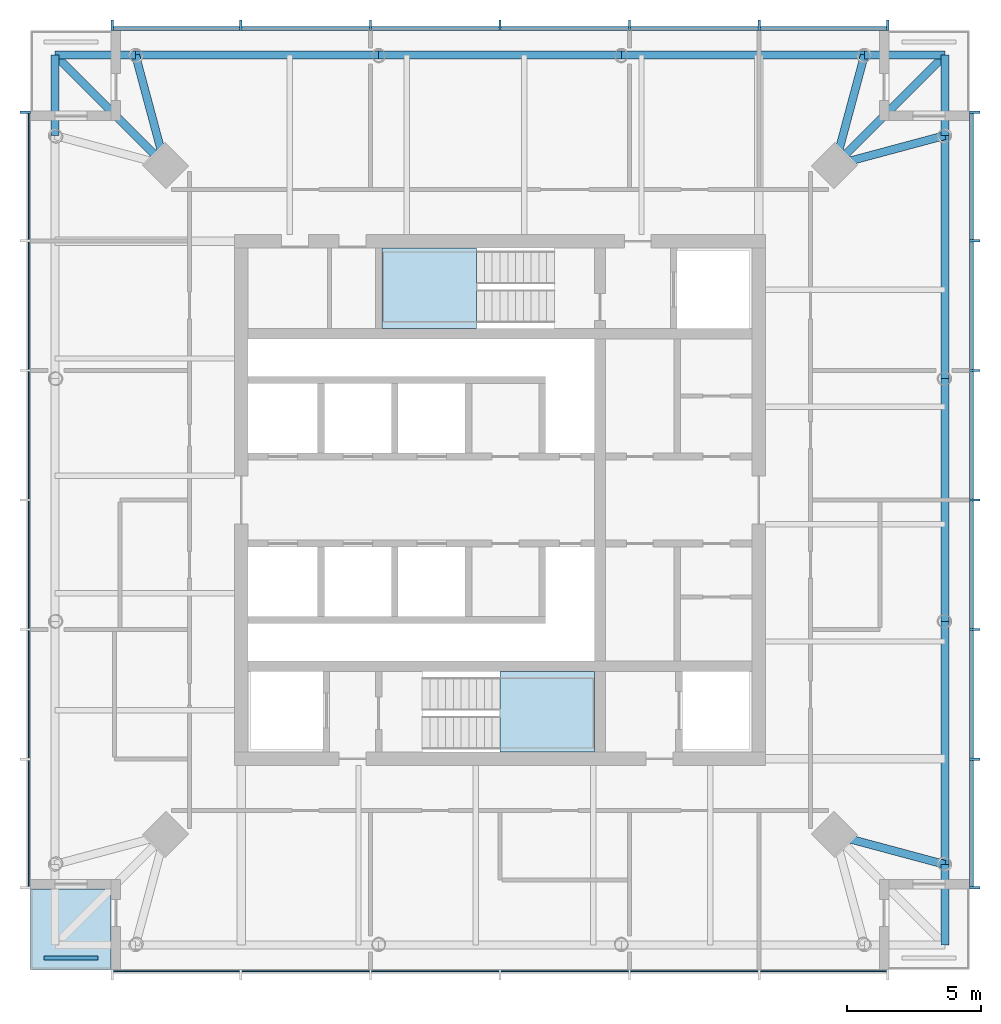
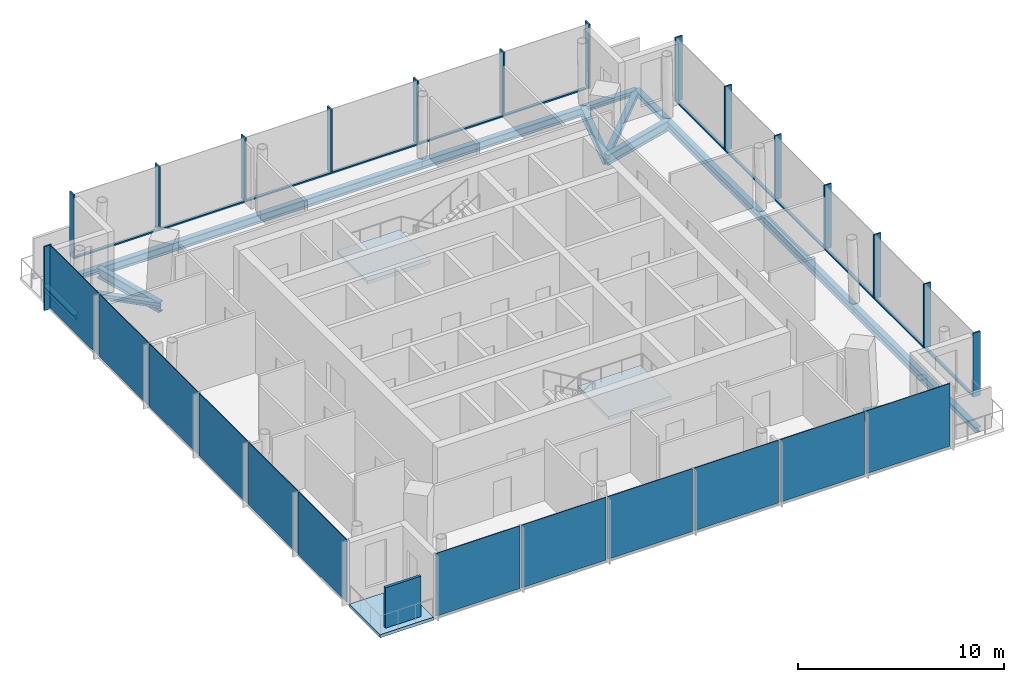
# One storey, part 2 of 7: 27 members, 17 beams, 13 plates, 3 slabs, 6 elements without a shape of their own.
"""IFC4 building model written with IfcOpenShell, lengths in metres."""

from ifc_helpers import new_model, si_unit, direction, frame, origin, origin_2d, place, context, subcontext, project, spatial, polyline, rectangle, i_section, outline, extrude, material, layer, layer_set, material_profile, profile_set, type_object, element, aggregate, save


model = new_model("IFC4")

# Units and contexts
model_context = context("Model", 3, precision=1e-05, world=origin(), true_north=direction((0.0, 1.0)))
body_context = subcontext(model_context, "Body", "Model", "MODEL_VIEW")
ifc_project = project(units=[si_unit("LENGTHUNIT", "METRE"), si_unit("AREAUNIT", "SQUARE_METRE"), si_unit("VOLUMEUNIT", "CUBIC_METRE"), si_unit("PLANEANGLEUNIT", "RADIAN"), si_unit("MASSUNIT", "GRAM", prefix="KILO")], contexts=[model_context])

# Site, building, storey
site_placement = place(None, origin())
site = spatial("IfcSite", under=ifc_project, at=site_placement, CompositionType="ELEMENT")
building_placement = place(site_placement, origin())
building = spatial("IfcBuilding", under=site, at=building_placement, Name="Ostroluk Exchange", CompositionType="ELEMENT")
storey_placement = place(building_placement, frame((0.0, 0.0, 252.800048828125)))
storey = spatial("IfcBuildingStorey", under=building, at=storey_placement, Name="L65", CompositionType="ELEMENT", Elevation=252.800048828125)

# Beams
ifc_material_1 = material(Name="Steel S355", Category="steel")
ifc_material_profile_1 = material_profile(ifc_material_1, i_section(OverallWidth=0.300048828125, OverallDepth=0.300048828125, WebThickness=0.010986328125, FlangeThickness=0.01904296875, FilletRadius=0.027099609375, at=origin_2d()), Name="HEB 300")
ifc_profile_set_1 = profile_set([ifc_material_profile_1], Name="Steel S355")
beam_type_1 = type_object("IfcBeamType", Name="Balcony beam HEB 300", PredefinedType="BEAM", material=ifc_profile_set_1)
for number, where, z_axis, x_axis, name in (
    (1, (61.5927734375, 59.5927734375, -0.330078125), (0.0, 1.0, 0.0), (-1.0, 0.0, 0.0), "T1 east balcony beam a"),
    (2, (58.5927734375, 62.5927734375, -0.330078125), (1.0, 0.0, 0.0), (0.0, 1.0, 0.0), "T1 east balcony beam b"),
):
    element("IfcBeam", number, at=place(storey_placement, frame(where, z_axis=z_axis, x_axis=x_axis)), inside=storey, type_object=beam_type_1, Name=name, PredefinedType="BEAM", context=body_context, shape_type="SweptSolid", body=[
        extrude(i_section(OverallWidth=0.300048828125, OverallDepth=0.300048828125, WebThickness=0.010986328125, FlangeThickness=0.01904296875, FilletRadius=0.027099609375, at=origin_2d()), origin(), (0.0, 0.0, 1.0), 3.0),
    ])
beam_1_placement = place(storey_placement, frame((57.492919921875, 58.492919921875, -0.330078125), z_axis=(0.707106781187, 0.707106781187, 0.0), x_axis=(-0.707106781187, 0.707106781187, 0.0)))
element("IfcBeam", 3, at=beam_1_placement, inside=storey, type_object=beam_type_1, Name="T1 east balcony beam c", PredefinedType="BEAM", context=body_context, shape_type="SweptSolid", body=[
    extrude(i_section(OverallWidth=0.300048828125, OverallDepth=0.300048828125, WebThickness=0.010986328125, FlangeThickness=0.01904296875, FilletRadius=0.027099609375, at=origin_2d()), origin(), (0.0, 0.0, 1.0), 5.798095703125),
])
for number, where, z_axis, x_axis, name in (
    (4, (31.4072265625, 62.5927734375, -0.330078125), (-1.0, 0.0, 0.0), (0.0, -1.0, 0.0), "T1 north balcony beam a"),
    (5, (28.4072265625, 59.5927734375, -0.330078125), (0.0, 1.0, 0.0), (-1.0, 0.0, 0.0), "T1 north balcony beam b"),
):
    element("IfcBeam", number, at=place(storey_placement, frame(where, z_axis=z_axis, x_axis=x_axis)), inside=storey, type_object=beam_type_1, Name=name, PredefinedType="BEAM", context=body_context, shape_type="SweptSolid", body=[
        extrude(i_section(OverallWidth=0.300048828125, OverallDepth=0.300048828125, WebThickness=0.010986328125, FlangeThickness=0.01904296875, FilletRadius=0.027099609375, at=origin_2d()), origin(), (0.0, 0.0, 1.0), 3.0),
    ])
beam_2_placement = place(storey_placement, frame((32.507080078125, 58.492919921875, -0.330078125), z_axis=(-0.707106781187, 0.707106781187, 0.0), x_axis=(-0.707106781187, -0.707106781187, 0.0)))
element("IfcBeam", 6, at=beam_2_placement, inside=storey, type_object=beam_type_1, Name="T1 north balcony beam c", PredefinedType="BEAM", context=body_context, shape_type="SweptSolid", body=[
    extrude(i_section(OverallWidth=0.300048828125, OverallDepth=0.300048828125, WebThickness=0.010986328125, FlangeThickness=0.01904296875, FilletRadius=0.027099609375, at=origin_2d()), origin(), (0.0, 0.0, 1.0), 5.798095703125),
])
beam_3_placement = place(storey_placement, frame((61.5927734375, 32.4072265625, -0.330078125), z_axis=(0.0, -1.0, 0.0), x_axis=(1.0, 0.0, 0.0)))
element("IfcBeam", 7, at=beam_3_placement, inside=storey, type_object=beam_type_1, Name="T1 south balcony beam b", PredefinedType="BEAM", context=body_context, shape_type="SweptSolid", body=[
    extrude(i_section(OverallWidth=0.300048828125, OverallDepth=0.300048828125, WebThickness=0.010986328125, FlangeThickness=0.01904296875, FilletRadius=0.027099609375, at=origin_2d()), origin(), (0.0, 0.0, 1.0), 3.0),
])
ifc_material_2 = material(Name="Steel S355", Category="steel")
ifc_material_profile_2 = material_profile(ifc_material_2, i_section(OverallWidth=0.300048828125, OverallDepth=0.60009765625, WebThickness=0.015380859375, FlangeThickness=0.030029296875, FilletRadius=0.027099609375, at=origin_2d()), Name="HEB 600")
ifc_profile_set_2 = profile_set([ifc_material_profile_2], Name="Steel S355")
beam_type_2 = type_object("IfcBeamType", Name="Corner edge beam HEB 600", PredefinedType="SPANDREL", material=ifc_profile_set_2)
for number, where, z_axis, x_axis, name in (
    (8, (57.492919921875, 58.492919921875, -0.47998046875), (0.965849156574, 0.259105011038, 0.0), (-0.259105011038, 0.965849156574, 0.0), "T1 east corner edge beam a"),
    (9, (57.492919921875, 58.492919921875, -0.47998046875), (0.259105011038, 0.965849156574, 0.0), (-0.965849156574, 0.259105011038, 0.0), "T1 east corner edge beam b"),
    (10, (32.507080078125, 58.492919921875, -0.47998046875), (-0.259105011038, 0.965849156574, 0.0), (-0.965849156574, -0.259105011038, 0.0), "T1 north corner edge beam a"),
    (11, (57.492919921875, 33.507080078125, -0.47998046875), (0.965849156574, -0.259105011038, 0.0), (0.259105011038, 0.965849156574, 0.0), "T1 south corner edge beam b"),
):
    element("IfcBeam", number, at=place(storey_placement, frame(where, z_axis=z_axis, x_axis=x_axis)), inside=storey, type_object=beam_type_2, Name=name, PredefinedType="SPANDREL", context=body_context, shape_type="SweptSolid", body=[
        extrude(i_section(OverallWidth=0.300048828125, OverallDepth=0.60009765625, WebThickness=0.015380859375, FlangeThickness=0.030029296875, FilletRadius=0.027099609375, at=origin_2d()), origin(), (0.0, 0.0, 1.0), 4.244873046875),
    ])
ifc_material_3 = material(Name="Steel S355", Category="steel")
ifc_material_profile_3 = material_profile(ifc_material_3, i_section(OverallWidth=0.300048828125, OverallDepth=0.5, WebThickness=0.014404296875, FlangeThickness=0.028076171875, FilletRadius=0.027099609375, at=origin_2d()), Name="HEB 500")
ifc_profile_set_3 = profile_set([ifc_material_profile_3], Name="Steel S355")
beam_type_3 = type_object("IfcBeamType", Name="Moment-connected edge beam HEB 500", PredefinedType="SPANDREL", material=ifc_profile_set_3)
beam_4_placement = place(storey_placement, frame((61.5927734375, 32.4072265625, -0.429931640625), z_axis=(0.0, 1.0, 0.0), x_axis=(-1.0, 0.0, 0.0)))
element("IfcBeam", 12, at=beam_4_placement, inside=storey, type_object=beam_type_3, Name="T1 east edge beam 1", PredefinedType="SPANDREL", context=body_context, shape_type="SweptSolid", body=[
    extrude(i_section(OverallWidth=0.300048828125, OverallDepth=0.5, WebThickness=0.014404296875, FlangeThickness=0.028076171875, FilletRadius=0.027099609375, at=origin_2d()), origin(), (0.0, 0.0, 1.0), 9.061767578125),
])
beam_5_placement = place(storey_placement, frame((61.5927734375, 41.468994140625, -0.429931640625), z_axis=(0.0, 1.0, 0.0), x_axis=(-1.0, 0.0, 0.0)))
element("IfcBeam", 13, at=beam_5_placement, inside=storey, type_object=beam_type_3, Name="T1 east edge beam 2", PredefinedType="SPANDREL", context=body_context, shape_type="SweptSolid", body=[
    extrude(i_section(OverallWidth=0.300048828125, OverallDepth=0.5, WebThickness=0.014404296875, FlangeThickness=0.028076171875, FilletRadius=0.027099609375, at=origin_2d()), origin(), (0.0, 0.0, 1.0), 9.06201171875),
])
for number, where, z_axis, x_axis, name in (
    (14, (61.5927734375, 50.531005859375, -0.429931640625), (0.0, 1.0, 0.0), (-1.0, 0.0, 0.0), "T1 east edge beam 3"),
    (15, (58.5927734375, 62.5927734375, -0.429931640625), (-1.0, 0.0, 0.0), (0.0, -1.0, 0.0), "T1 north edge beam 1"),
):
    element("IfcBeam", number, at=place(storey_placement, frame(where, z_axis=z_axis, x_axis=x_axis)), inside=storey, type_object=beam_type_3, Name=name, PredefinedType="SPANDREL", context=body_context, shape_type="SweptSolid", body=[
        extrude(i_section(OverallWidth=0.300048828125, OverallDepth=0.5, WebThickness=0.014404296875, FlangeThickness=0.028076171875, FilletRadius=0.027099609375, at=origin_2d()), origin(), (0.0, 0.0, 1.0), 9.061767578125),
    ])
beam_6_placement = place(storey_placement, frame((49.531005859375, 62.5927734375, -0.429931640625), z_axis=(-1.0, 0.0, 0.0), x_axis=(0.0, -1.0, 0.0)))
element("IfcBeam", 16, at=beam_6_placement, inside=storey, type_object=beam_type_3, Name="T1 north edge beam 2", PredefinedType="SPANDREL", context=body_context, shape_type="SweptSolid", body=[
    extrude(i_section(OverallWidth=0.300048828125, OverallDepth=0.5, WebThickness=0.014404296875, FlangeThickness=0.028076171875, FilletRadius=0.027099609375, at=origin_2d()), origin(), (0.0, 0.0, 1.0), 9.06201171875),
])
beam_7_placement = place(storey_placement, frame((40.468994140625, 62.5927734375, -0.429931640625), z_axis=(-1.0, 0.0, 0.0), x_axis=(0.0, -1.0, 0.0)))
element("IfcBeam", 17, at=beam_7_placement, inside=storey, type_object=beam_type_3, Name="T1 north edge beam 3", PredefinedType="SPANDREL", context=body_context, shape_type="SweptSolid", body=[
    extrude(i_section(OverallWidth=0.300048828125, OverallDepth=0.5, WebThickness=0.014404296875, FlangeThickness=0.028076171875, FilletRadius=0.027099609375, at=origin_2d()), origin(), (0.0, 0.0, 1.0), 9.061767578125),
])

# Curtain wall, members
ifc_material_4 = material(Name="Laminated clear glass", Category="glass")
curtain_wall_type = type_object("IfcCurtainWallType", Name="Office tower facade", PredefinedType="USERDEFINED", material=ifc_material_4)
curtain_wall_1_placement = place(storey_placement, origin())
curtain_wall_1 = element("IfcCurtainWall", 18, at=curtain_wall_1_placement, inside=storey, type_object=curtain_wall_type, Name="Office tower east facade L65", ObjectType="UNITISED CURTAIN WALL", PredefinedType="USERDEFINED")
ifc_material_5 = material(Name="Aluminium mullion", Category="aluminium")
ifc_material_profile_4 = material_profile(ifc_material_5, rectangle(XDim=0.14990234375, YDim=0.080078125, at=origin_2d()), Name="Sill transom 80 x 150")
ifc_profile_set_4 = profile_set([ifc_material_profile_4], Name="Aluminium mullion")
member_type_1 = type_object("IfcMemberType", Name="Sill transom 80 x 150", PredefinedType="USERDEFINED", material=ifc_profile_set_4)
member_1_placement = place(storey_placement, frame((62.574951171875, 31.580078125, 0.0400390625), z_axis=(0.0, 1.0, 0.0), x_axis=(-1.0, 0.0, 0.0)))
member_1 = element("IfcMember", 19, at=member_1_placement, type_object=member_type_1, Name="CW-O1 transom 1.1", ObjectType="TRANSOM", PredefinedType="USERDEFINED", context=body_context, shape_type="SweptSolid", body=[
    extrude(rectangle(XDim=0.14990234375, YDim=0.080078125, at=origin_2d()), origin(), (0.0, 0.0, 1.0), 4.713134765625),
])
member_2_placement = place(storey_placement, frame((62.574951171875, 36.373291015625, 0.0400390625), z_axis=(0.0, 1.0, 0.0), x_axis=(-1.0, 0.0, 0.0)))
member_2 = element("IfcMember", 20, at=member_2_placement, type_object=member_type_1, Name="CW-O1 transom 2.1", ObjectType="TRANSOM", PredefinedType="USERDEFINED", context=body_context, shape_type="SweptSolid", body=[
    extrude(rectangle(XDim=0.14990234375, YDim=0.080078125, at=origin_2d()), origin(), (0.0, 0.0, 1.0), 4.75341796875),
])
member_3_placement = place(storey_placement, frame((62.574951171875, 41.206787109375, 0.0400390625), z_axis=(0.0, 1.0, 0.0), x_axis=(-1.0, 0.0, 0.0)))
member_3 = element("IfcMember", 21, at=member_3_placement, type_object=member_type_1, Name="CW-O1 transom 3.1", ObjectType="TRANSOM", PredefinedType="USERDEFINED", context=body_context, shape_type="SweptSolid", body=[
    extrude(rectangle(XDim=0.14990234375, YDim=0.080078125, at=origin_2d()), origin(), (0.0, 0.0, 1.0), 4.753173828125),
])
member_4_placement = place(storey_placement, frame((62.574951171875, 46.0400390625, 0.0400390625), z_axis=(0.0, 1.0, 0.0), x_axis=(-1.0, 0.0, 0.0)))
member_4 = element("IfcMember", 22, at=member_4_placement, type_object=member_type_1, Name="CW-O1 transom 4.1", ObjectType="TRANSOM", PredefinedType="USERDEFINED", context=body_context, shape_type="SweptSolid", body=[
    extrude(rectangle(XDim=0.14990234375, YDim=0.080078125, at=origin_2d()), origin(), (0.0, 0.0, 1.0), 4.753173828125),
])
member_5_placement = place(storey_placement, frame((62.574951171875, 50.873291015625, 0.0400390625), z_axis=(0.0, 1.0, 0.0), x_axis=(-1.0, 0.0, 0.0)))
member_5 = element("IfcMember", 23, at=member_5_placement, type_object=member_type_1, Name="CW-O1 transom 5.1", ObjectType="TRANSOM", PredefinedType="USERDEFINED", context=body_context, shape_type="SweptSolid", body=[
    extrude(rectangle(XDim=0.14990234375, YDim=0.080078125, at=origin_2d()), origin(), (0.0, 0.0, 1.0), 4.75341796875),
])
member_6_placement = place(storey_placement, frame((62.574951171875, 55.706787109375, 0.0400390625), z_axis=(0.0, 1.0, 0.0), x_axis=(-1.0, 0.0, 0.0)))
member_6 = element("IfcMember", 24, at=member_6_placement, type_object=member_type_1, Name="CW-O1 transom 6.1", ObjectType="TRANSOM", PredefinedType="USERDEFINED", context=body_context, shape_type="SweptSolid", body=[
    extrude(rectangle(XDim=0.14990234375, YDim=0.080078125, at=origin_2d()), origin(), (0.0, 0.0, 1.0), 4.713134765625),
])

curtain_wall_2_placement = place(storey_placement, origin())
curtain_wall_2 = element("IfcCurtainWall", 25, at=curtain_wall_2_placement, inside=storey, type_object=curtain_wall_type, Name="Office tower north facade L65", ObjectType="UNITISED CURTAIN WALL", PredefinedType="USERDEFINED")
member_7_placement = place(storey_placement, frame((59.419921875, 63.574951171875, 0.0400390625), z_axis=(-1.0, 0.0, 0.0), x_axis=(0.0, -1.0, 0.0)))
member_7 = element("IfcMember", 26, at=member_7_placement, type_object=member_type_1, Name="CW-O1 transom 1.1", ObjectType="TRANSOM", PredefinedType="USERDEFINED", context=body_context, shape_type="SweptSolid", body=[
    extrude(rectangle(XDim=0.14990234375, YDim=0.080078125, at=origin_2d()), origin(), (0.0, 0.0, 1.0), 4.713134765625),
])
member_8_placement = place(storey_placement, frame((54.626708984375, 63.574951171875, 0.0400390625), z_axis=(-1.0, 0.0, 0.0), x_axis=(0.0, -1.0, 0.0)))
member_8 = element("IfcMember", 27, at=member_8_placement, type_object=member_type_1, Name="CW-O1 transom 2.1", ObjectType="TRANSOM", PredefinedType="USERDEFINED", context=body_context, shape_type="SweptSolid", body=[
    extrude(rectangle(XDim=0.14990234375, YDim=0.080078125, at=origin_2d()), origin(), (0.0, 0.0, 1.0), 4.75341796875),
])
member_9_placement = place(storey_placement, frame((49.793212890625, 63.574951171875, 0.0400390625), z_axis=(-1.0, 0.0, 0.0), x_axis=(0.0, -1.0, 0.0)))
member_9 = element("IfcMember", 28, at=member_9_placement, type_object=member_type_1, Name="CW-O1 transom 3.1", ObjectType="TRANSOM", PredefinedType="USERDEFINED", context=body_context, shape_type="SweptSolid", body=[
    extrude(rectangle(XDim=0.14990234375, YDim=0.080078125, at=origin_2d()), origin(), (0.0, 0.0, 1.0), 4.753173828125),
])
member_10_placement = place(storey_placement, frame((44.9599609375, 63.574951171875, 0.0400390625), z_axis=(-1.0, 0.0, 0.0), x_axis=(0.0, -1.0, 0.0)))
member_10 = element("IfcMember", 29, at=member_10_placement, type_object=member_type_1, Name="CW-O1 transom 4.1", ObjectType="TRANSOM", PredefinedType="USERDEFINED", context=body_context, shape_type="SweptSolid", body=[
    extrude(rectangle(XDim=0.14990234375, YDim=0.080078125, at=origin_2d()), origin(), (0.0, 0.0, 1.0), 4.753173828125),
])
member_11_placement = place(storey_placement, frame((40.126708984375, 63.574951171875, 0.0400390625), z_axis=(-1.0, 0.0, 0.0), x_axis=(0.0, -1.0, 0.0)))
member_11 = element("IfcMember", 30, at=member_11_placement, type_object=member_type_1, Name="CW-O1 transom 5.1", ObjectType="TRANSOM", PredefinedType="USERDEFINED", context=body_context, shape_type="SweptSolid", body=[
    extrude(rectangle(XDim=0.14990234375, YDim=0.080078125, at=origin_2d()), origin(), (0.0, 0.0, 1.0), 4.75341796875),
])
member_12_placement = place(storey_placement, frame((35.293212890625, 63.574951171875, 0.0400390625), z_axis=(-1.0, 0.0, 0.0), x_axis=(0.0, -1.0, 0.0)))
member_12 = element("IfcMember", 31, at=member_12_placement, type_object=member_type_1, Name="CW-O1 transom 6.1", ObjectType="TRANSOM", PredefinedType="USERDEFINED", context=body_context, shape_type="SweptSolid", body=[
    extrude(rectangle(XDim=0.14990234375, YDim=0.080078125, at=origin_2d()), origin(), (0.0, 0.0, 1.0), 4.713134765625),
])

# Member
ifc_material_6 = material(Name="Aluminium mullion with limestone facing", Category="masonry")
ifc_material_profile_5 = material_profile(ifc_material_6, rectangle(XDim=0.39990234375, YDim=0.080078125, at=origin_2d()), Name="Tracery mullion 80 x 400")
ifc_profile_set_5 = profile_set([ifc_material_profile_5], Name="Aluminium mullion with limestone facing")
member_type_2 = type_object("IfcMemberType", Name="Tracery mullion 80 x 400", PredefinedType="MULLION", material=ifc_profile_set_5)
member_13_placement = place(storey_placement, frame((62.699951171875, 31.5400390625, 0.0), z_axis=(0.0, 0.0, 1.0), x_axis=(-1.0, 0.0, 0.0)))
member_13 = element("IfcMember", 32, at=member_13_placement, type_object=member_type_2, Name="CW-O1 mullion 1", PredefinedType="MULLION", context=body_context, shape_type="SweptSolid", body=[
    extrude(rectangle(XDim=0.39990234375, YDim=0.080078125, at=origin_2d()), origin(), (0.0, 0.0, 1.0), 3.800048828125),
])

member_14_placement = place(storey_placement, frame((62.699951171875, 36.333251953125, 0.0), z_axis=(0.0, 0.0, 1.0), x_axis=(-1.0, 0.0, 0.0)))
member_14 = element("IfcMember", 33, at=member_14_placement, type_object=member_type_2, Name="CW-O1 mullion 2", PredefinedType="MULLION", context=body_context, shape_type="SweptSolid", body=[
    extrude(rectangle(XDim=0.39990234375, YDim=0.080078125, at=origin_2d()), origin(), (0.0, 0.0, 1.0), 3.800048828125),
])

member_15_placement = place(storey_placement, frame((62.699951171875, 41.166748046875, 0.0), z_axis=(0.0, 0.0, 1.0), x_axis=(-1.0, 0.0, 0.0)))
member_15 = element("IfcMember", 34, at=member_15_placement, type_object=member_type_2, Name="CW-O1 mullion 3", PredefinedType="MULLION", context=body_context, shape_type="SweptSolid", body=[
    extrude(rectangle(XDim=0.39990234375, YDim=0.080078125, at=origin_2d()), origin(), (0.0, 0.0, 1.0), 3.800048828125),
])

member_16_placement = place(storey_placement, frame((62.699951171875, 46.0, 0.0), z_axis=(0.0, 0.0, 1.0), x_axis=(-1.0, 0.0, 0.0)))
member_16 = element("IfcMember", 35, at=member_16_placement, type_object=member_type_2, Name="CW-O1 mullion 4", PredefinedType="MULLION", context=body_context, shape_type="SweptSolid", body=[
    extrude(rectangle(XDim=0.39990234375, YDim=0.080078125, at=origin_2d()), origin(), (0.0, 0.0, 1.0), 3.800048828125),
])

member_17_placement = place(storey_placement, frame((62.699951171875, 50.833251953125, 0.0), z_axis=(0.0, 0.0, 1.0), x_axis=(-1.0, 0.0, 0.0)))
member_17 = element("IfcMember", 36, at=member_17_placement, type_object=member_type_2, Name="CW-O1 mullion 5", PredefinedType="MULLION", context=body_context, shape_type="SweptSolid", body=[
    extrude(rectangle(XDim=0.39990234375, YDim=0.080078125, at=origin_2d()), origin(), (0.0, 0.0, 1.0), 3.800048828125),
])

member_18_placement = place(storey_placement, frame((62.699951171875, 55.666748046875, 0.0), z_axis=(0.0, 0.0, 1.0), x_axis=(-1.0, 0.0, 0.0)))
member_18 = element("IfcMember", 37, at=member_18_placement, type_object=member_type_2, Name="CW-O1 mullion 6", PredefinedType="MULLION", context=body_context, shape_type="SweptSolid", body=[
    extrude(rectangle(XDim=0.39990234375, YDim=0.080078125, at=origin_2d()), origin(), (0.0, 0.0, 1.0), 3.800048828125),
])

member_19_placement = place(storey_placement, frame((62.699951171875, 60.4599609375, 0.0), z_axis=(0.0, 0.0, 1.0), x_axis=(-1.0, 0.0, 0.0)))
member_19 = element("IfcMember", 38, at=member_19_placement, type_object=member_type_2, Name="CW-O1 mullion 7", PredefinedType="MULLION", context=body_context, shape_type="SweptSolid", body=[
    extrude(rectangle(XDim=0.39990234375, YDim=0.080078125, at=origin_2d()), origin(), (0.0, 0.0, 1.0), 3.800048828125),
])

aggregate(curtain_wall_1, [member_13, member_14, member_15, member_16, member_17, member_18, member_19, member_1, member_2, member_3, member_4, member_5, member_6])

member_20_placement = place(storey_placement, frame((59.4599609375, 63.699951171875, 0.0), z_axis=(0.0, 0.0, 1.0), x_axis=(0.0, -1.0, 0.0)))
member_20 = element("IfcMember", 39, at=member_20_placement, type_object=member_type_2, Name="CW-O1 mullion 1", PredefinedType="MULLION", context=body_context, shape_type="SweptSolid", body=[
    extrude(rectangle(XDim=0.39990234375, YDim=0.080078125, at=origin_2d()), origin(), (0.0, 0.0, 1.0), 3.800048828125),
])

member_21_placement = place(storey_placement, frame((54.666748046875, 63.699951171875, 0.0), z_axis=(0.0, 0.0, 1.0), x_axis=(0.0, -1.0, 0.0)))
member_21 = element("IfcMember", 40, at=member_21_placement, type_object=member_type_2, Name="CW-O1 mullion 2", PredefinedType="MULLION", context=body_context, shape_type="SweptSolid", body=[
    extrude(rectangle(XDim=0.39990234375, YDim=0.080078125, at=origin_2d()), origin(), (0.0, 0.0, 1.0), 3.800048828125),
])

member_22_placement = place(storey_placement, frame((49.833251953125, 63.699951171875, 0.0), z_axis=(0.0, 0.0, 1.0), x_axis=(0.0, -1.0, 0.0)))
member_22 = element("IfcMember", 41, at=member_22_placement, type_object=member_type_2, Name="CW-O1 mullion 3", PredefinedType="MULLION", context=body_context, shape_type="SweptSolid", body=[
    extrude(rectangle(XDim=0.39990234375, YDim=0.080078125, at=origin_2d()), origin(), (0.0, 0.0, 1.0), 3.800048828125),
])

member_23_placement = place(storey_placement, frame((45.0, 63.699951171875, 0.0), z_axis=(0.0, 0.0, 1.0), x_axis=(0.0, -1.0, 0.0)))
member_23 = element("IfcMember", 42, at=member_23_placement, type_object=member_type_2, Name="CW-O1 mullion 4", PredefinedType="MULLION", context=body_context, shape_type="SweptSolid", body=[
    extrude(rectangle(XDim=0.39990234375, YDim=0.080078125, at=origin_2d()), origin(), (0.0, 0.0, 1.0), 3.800048828125),
])

member_24_placement = place(storey_placement, frame((40.166748046875, 63.699951171875, 0.0), z_axis=(0.0, 0.0, 1.0), x_axis=(0.0, -1.0, 0.0)))
member_24 = element("IfcMember", 43, at=member_24_placement, type_object=member_type_2, Name="CW-O1 mullion 5", PredefinedType="MULLION", context=body_context, shape_type="SweptSolid", body=[
    extrude(rectangle(XDim=0.39990234375, YDim=0.080078125, at=origin_2d()), origin(), (0.0, 0.0, 1.0), 3.800048828125),
])

member_25_placement = place(storey_placement, frame((35.333251953125, 63.699951171875, 0.0), z_axis=(0.0, 0.0, 1.0), x_axis=(0.0, -1.0, 0.0)))
member_25 = element("IfcMember", 44, at=member_25_placement, type_object=member_type_2, Name="CW-O1 mullion 6", PredefinedType="MULLION", context=body_context, shape_type="SweptSolid", body=[
    extrude(rectangle(XDim=0.39990234375, YDim=0.080078125, at=origin_2d()), origin(), (0.0, 0.0, 1.0), 3.800048828125),
])

member_26_placement = place(storey_placement, frame((30.5400390625, 63.699951171875, 0.0), z_axis=(0.0, 0.0, 1.0), x_axis=(0.0, -1.0, 0.0)))
member_26 = element("IfcMember", 45, at=member_26_placement, type_object=member_type_2, Name="CW-O1 mullion 7", PredefinedType="MULLION", context=body_context, shape_type="SweptSolid", body=[
    extrude(rectangle(XDim=0.39990234375, YDim=0.080078125, at=origin_2d()), origin(), (0.0, 0.0, 1.0), 3.800048828125),
])

aggregate(curtain_wall_2, [member_20, member_21, member_22, member_23, member_24, member_25, member_26, member_7, member_8, member_9, member_10, member_11, member_12])

# Curtain wall, member
curtain_wall_3_placement = place(storey_placement, origin())
curtain_wall_3 = element("IfcCurtainWall", 46, at=curtain_wall_3_placement, inside=storey, type_object=curtain_wall_type, Name="Office tower west facade L65", ObjectType="UNITISED CURTAIN WALL", PredefinedType="USERDEFINED")
member_27_placement = place(storey_placement, frame((27.300048828125, 60.4599609375, 0.0), z_axis=(0.0, 0.0, 1.0), x_axis=(1.0, 0.0, 0.0)))
member_27 = element("IfcMember", 47, at=member_27_placement, type_object=member_type_2, Name="CW-O1 mullion 1", PredefinedType="MULLION", context=body_context, shape_type="SweptSolid", body=[
    extrude(rectangle(XDim=0.39990234375, YDim=0.080078125, at=origin_2d()), origin(), (0.0, 0.0, 1.0), 3.800048828125),
])

# Slab
ifc_material_7 = material(Name="Concrete C35/45", Category="concrete")
ifc_layer_1 = layer(ifc_material_7, 0.179931640625)
ifc_layer_set_1 = layer_set([ifc_layer_1], Name="Balcony slab 180")
slab_type_1 = type_object("IfcSlabType", Name="Balcony slab 180", PredefinedType="USERDEFINED", material=ifc_layer_set_1)
slab_1_placement = place(storey_placement, frame((0.0, 0.0, -0.179931640625)))
element("IfcSlab", 48, at=slab_1_placement, inside=storey, type_object=slab_type_1, Name="Office tower SW corner balcony L65", ObjectType="BALCONY", PredefinedType="USERDEFINED", context=body_context, shape_type="SweptSolid", body=[
    extrude(outline(polyline([(27.5, 28.5), (30.5, 28.5), (30.5, 31.5), (27.5, 31.5), (27.5, 28.5)])), origin(), (0.0, 0.0, 1.0), 0.179931640625),
])

# Plate
ifc_material_8 = material(Name="Steel S355 trellis with planting", Category="steel")
ifc_layer_2 = layer(ifc_material_8, 0.14990234375)
ifc_layer_set_2 = layer_set([ifc_layer_2], Name="Planted screen 150")
plate_type_1 = type_object("IfcPlateType", Name="Planted screen 150", PredefinedType="USERDEFINED", material=ifc_layer_set_2)
plate_1_placement = place(storey_placement, frame((29.0, 28.925048828125, 0.0), z_axis=(0.0, 0.0, 1.0), x_axis=(1.0, 0.0, 0.0)))
element("IfcPlate", 49, at=plate_1_placement, inside=storey, type_object=plate_type_1, Name="Office tower SW planted screen L65", ObjectType="PLANTED SCREEN", PredefinedType="USERDEFINED", context=body_context, shape_type="SweptSolid", body=[
    extrude(rectangle(XDim=2.0, YDim=0.14990234375, at=origin_2d()), origin(), (0.0, 0.0, 1.0), 2.39990234375),
])

# Stair, slab
ifc_material_9 = material(Name="Concrete C30/37", Category="concrete")
stair_type = type_object("IfcStairType", Name="Exit stair half turn 3800", PredefinedType="HALF_TURN_STAIR", material=ifc_material_9)
stair_1_placement = place(storey_placement, origin())
stair_1 = element("IfcStair", 50, at=stair_1_placement, inside=storey, type_object=stair_type, Name="Stair T1-S1 L65", PredefinedType="HALF_TURN_STAIR")
ifc_material_10 = material(Name="Concrete C30/37", Category="concrete")
ifc_layer_3 = layer(ifc_material_10, 0.199951171875)
ifc_layer_set_3 = layer_set([ifc_layer_3], Name="Stair landing 200")
slab_type_2 = type_object("IfcSlabType", Name="Stair landing 200", PredefinedType="LANDING", material=ifc_layer_set_3)
slab_2_placement = place(storey_placement, frame((0.0, 0.0, 1.699951171875)))
slab_2 = element("IfcSlab", 51, at=slab_2_placement, type_object=slab_type_2, Name="T1-S1 landing 1", PredefinedType="LANDING", context=body_context, shape_type="SweptSolid", body=[
    extrude(outline(polyline([(45.0, 36.60009765625), (45.0, 39.60009765625), (48.530029296875, 39.60009765625), (48.530029296875, 36.60009765625), (45.0, 36.60009765625)])), origin(), (0.0, 0.0, 1.0), 0.199951171875),
])
aggregate(stair_1, [slab_2])

stair_2_placement = place(storey_placement, origin())
stair_2 = element("IfcStair", 52, at=stair_2_placement, inside=storey, type_object=stair_type, Name="Stair T1-S2 L65", PredefinedType="HALF_TURN_STAIR")
slab_3_placement = place(storey_placement, frame((0.0, 0.0, 1.699951171875)))
slab_3 = element("IfcSlab", 53, at=slab_3_placement, type_object=slab_type_2, Name="T1-S2 landing 1", PredefinedType="LANDING", context=body_context, shape_type="SweptSolid", body=[
    extrude(outline(polyline([(44.1298828125, 52.39990234375), (44.1298828125, 55.39990234375), (40.60009765625, 55.39990234375), (40.60009765625, 52.39990234375), (44.1298828125, 52.39990234375)])), origin(), (0.0, 0.0, 1.0), 0.199951171875),
])
aggregate(stair_2, [slab_3])

# Curtain wall, plates
curtain_wall_4_placement = place(storey_placement, origin())
curtain_wall_4 = element("IfcCurtainWall", 54, at=curtain_wall_4_placement, inside=storey, type_object=curtain_wall_type, Name="Office tower south facade L65", ObjectType="UNITISED CURTAIN WALL", PredefinedType="USERDEFINED")
ifc_material_11 = material(Name="Laminated clear glass", Category="glass")
ifc_layer_4 = layer(ifc_material_11, 0.0439453125)
ifc_layer_set_4 = layer_set([ifc_layer_4], Name="Triple laminated clear glazing 44")
plate_type_2 = type_object("IfcPlateType", Name="Triple laminated clear glazing 44", PredefinedType="CURTAIN_PANEL", material=ifc_layer_set_4)
plate_2_placement = place(storey_placement, frame((32.936767578125, 28.425048828125, 0.080078125), z_axis=(0.0, 0.0, 1.0), x_axis=(1.0, 0.0, 0.0)))
plate_2 = element("IfcPlate", 55, at=plate_2_placement, type_object=plate_type_2, Name="CW-O1 panel 1.1", PredefinedType="CURTAIN_PANEL", context=body_context, shape_type="SweptSolid", body=[
    extrude(rectangle(XDim=4.71337890625, YDim=0.0439453125, at=origin_2d()), origin(), (0.0, 0.0, 1.0), 3.719970703125),
])
plate_3_placement = place(storey_placement, frame((37.75, 28.425048828125, 0.080078125), z_axis=(0.0, 0.0, 1.0), x_axis=(1.0, 0.0, 0.0)))
plate_3 = element("IfcPlate", 56, at=plate_3_placement, type_object=plate_type_2, Name="CW-O1 panel 2.1", PredefinedType="CURTAIN_PANEL", context=body_context, shape_type="SweptSolid", body=[
    extrude(rectangle(XDim=4.75341796875, YDim=0.0439453125, at=origin_2d()), origin(), (0.0, 0.0, 1.0), 3.719970703125),
])
plate_4_placement = place(storey_placement, frame((42.583251953125, 28.425048828125, 0.080078125), z_axis=(0.0, 0.0, 1.0), x_axis=(1.0, 0.0, 0.0)))
plate_4 = element("IfcPlate", 57, at=plate_4_placement, type_object=plate_type_2, Name="CW-O1 panel 3.1", PredefinedType="CURTAIN_PANEL", context=body_context, shape_type="SweptSolid", body=[
    extrude(rectangle(XDim=4.75341796875, YDim=0.0439453125, at=origin_2d()), origin(), (0.0, 0.0, 1.0), 3.719970703125),
])
plate_5_placement = place(storey_placement, frame((47.416748046875, 28.425048828125, 0.080078125), z_axis=(0.0, 0.0, 1.0), x_axis=(1.0, 0.0, 0.0)))
plate_5 = element("IfcPlate", 58, at=plate_5_placement, type_object=plate_type_2, Name="CW-O1 panel 4.1", PredefinedType="CURTAIN_PANEL", context=body_context, shape_type="SweptSolid", body=[
    extrude(rectangle(XDim=4.75341796875, YDim=0.0439453125, at=origin_2d()), origin(), (0.0, 0.0, 1.0), 3.719970703125),
])
plate_6_placement = place(storey_placement, frame((52.25, 28.425048828125, 0.080078125), z_axis=(0.0, 0.0, 1.0), x_axis=(1.0, 0.0, 0.0)))
plate_6 = element("IfcPlate", 59, at=plate_6_placement, type_object=plate_type_2, Name="CW-O1 panel 5.1", PredefinedType="CURTAIN_PANEL", context=body_context, shape_type="SweptSolid", body=[
    extrude(rectangle(XDim=4.75341796875, YDim=0.0439453125, at=origin_2d()), origin(), (0.0, 0.0, 1.0), 3.719970703125),
])
plate_7_placement = place(storey_placement, frame((57.063232421875, 28.425048828125, 0.080078125), z_axis=(0.0, 0.0, 1.0), x_axis=(1.0, 0.0, 0.0)))
plate_7 = element("IfcPlate", 60, at=plate_7_placement, type_object=plate_type_2, Name="CW-O1 panel 6.1", PredefinedType="CURTAIN_PANEL", context=body_context, shape_type="SweptSolid", body=[
    extrude(rectangle(XDim=4.71337890625, YDim=0.0439453125, at=origin_2d()), origin(), (0.0, 0.0, 1.0), 3.719970703125),
])
aggregate(curtain_wall_4, [plate_2, plate_3, plate_4, plate_5, plate_6, plate_7])

# Plate
plate_8_placement = place(storey_placement, frame((27.425048828125, 58.063232421875, 0.080078125), z_axis=(0.0, 0.0, 1.0), x_axis=(0.0, -1.0, 0.0)))
plate_8 = element("IfcPlate", 61, at=plate_8_placement, type_object=plate_type_2, Name="CW-O1 panel 1.1", PredefinedType="CURTAIN_PANEL", context=body_context, shape_type="SweptSolid", body=[
    extrude(rectangle(XDim=4.71337890625, YDim=0.0439453125, at=origin_2d()), origin(), (0.0, 0.0, 1.0), 3.719970703125),
])

plate_9_placement = place(storey_placement, frame((27.425048828125, 53.25, 0.080078125), z_axis=(0.0, 0.0, 1.0), x_axis=(0.0, -1.0, 0.0)))
plate_9 = element("IfcPlate", 62, at=plate_9_placement, type_object=plate_type_2, Name="CW-O1 panel 2.1", PredefinedType="CURTAIN_PANEL", context=body_context, shape_type="SweptSolid", body=[
    extrude(rectangle(XDim=4.75341796875, YDim=0.0439453125, at=origin_2d()), origin(), (0.0, 0.0, 1.0), 3.719970703125),
])

plate_10_placement = place(storey_placement, frame((27.425048828125, 48.416748046875, 0.080078125), z_axis=(0.0, 0.0, 1.0), x_axis=(0.0, -1.0, 0.0)))
plate_10 = element("IfcPlate", 63, at=plate_10_placement, type_object=plate_type_2, Name="CW-O1 panel 3.1", PredefinedType="CURTAIN_PANEL", context=body_context, shape_type="SweptSolid", body=[
    extrude(rectangle(XDim=4.75341796875, YDim=0.0439453125, at=origin_2d()), origin(), (0.0, 0.0, 1.0), 3.719970703125),
])

plate_11_placement = place(storey_placement, frame((27.425048828125, 43.583251953125, 0.080078125), z_axis=(0.0, 0.0, 1.0), x_axis=(0.0, -1.0, 0.0)))
plate_11 = element("IfcPlate", 64, at=plate_11_placement, type_object=plate_type_2, Name="CW-O1 panel 4.1", PredefinedType="CURTAIN_PANEL", context=body_context, shape_type="SweptSolid", body=[
    extrude(rectangle(XDim=4.75341796875, YDim=0.0439453125, at=origin_2d()), origin(), (0.0, 0.0, 1.0), 3.719970703125),
])

plate_12_placement = place(storey_placement, frame((27.425048828125, 38.75, 0.080078125), z_axis=(0.0, 0.0, 1.0), x_axis=(0.0, -1.0, 0.0)))
plate_12 = element("IfcPlate", 65, at=plate_12_placement, type_object=plate_type_2, Name="CW-O1 panel 5.1", PredefinedType="CURTAIN_PANEL", context=body_context, shape_type="SweptSolid", body=[
    extrude(rectangle(XDim=4.75341796875, YDim=0.0439453125, at=origin_2d()), origin(), (0.0, 0.0, 1.0), 3.719970703125),
])

plate_13_placement = place(storey_placement, frame((27.425048828125, 33.936767578125, 0.080078125), z_axis=(0.0, 0.0, 1.0), x_axis=(0.0, -1.0, 0.0)))
plate_13 = element("IfcPlate", 66, at=plate_13_placement, type_object=plate_type_2, Name="CW-O1 panel 6.1", PredefinedType="CURTAIN_PANEL", context=body_context, shape_type="SweptSolid", body=[
    extrude(rectangle(XDim=4.71337890625, YDim=0.0439453125, at=origin_2d()), origin(), (0.0, 0.0, 1.0), 3.719970703125),
])

aggregate(curtain_wall_3, [member_27, plate_8, plate_9, plate_10, plate_11, plate_12, plate_13])

save(model, "model.ifc")
